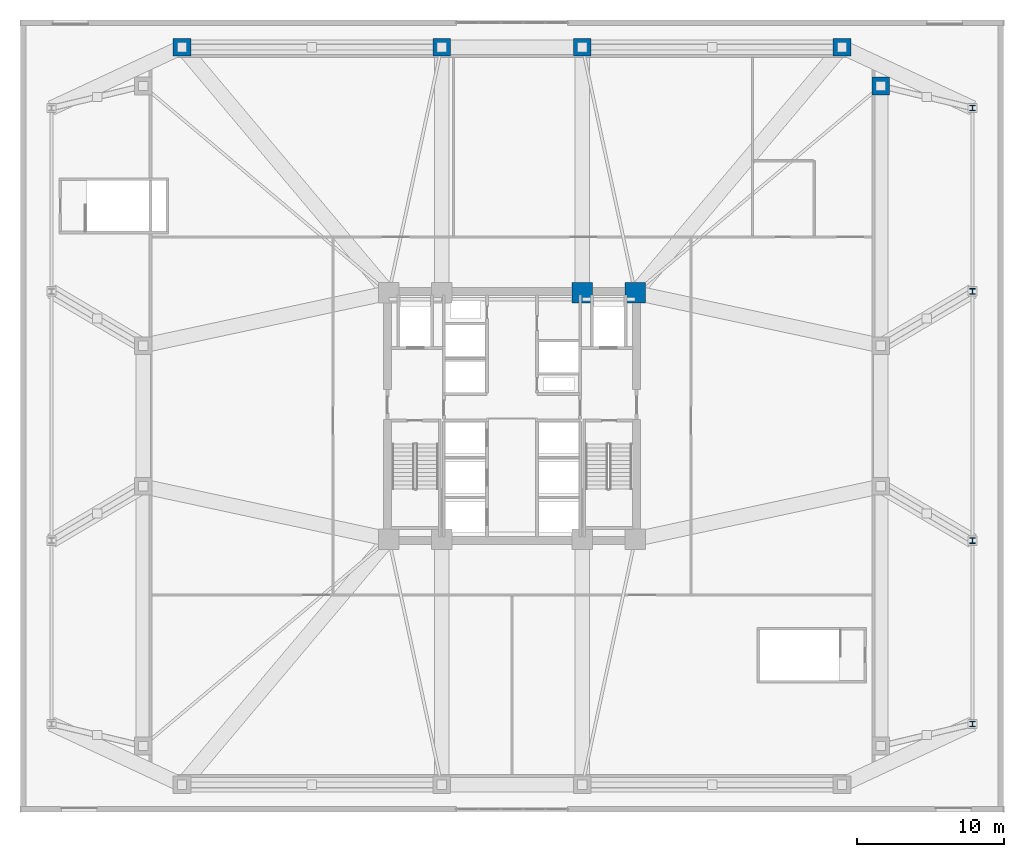
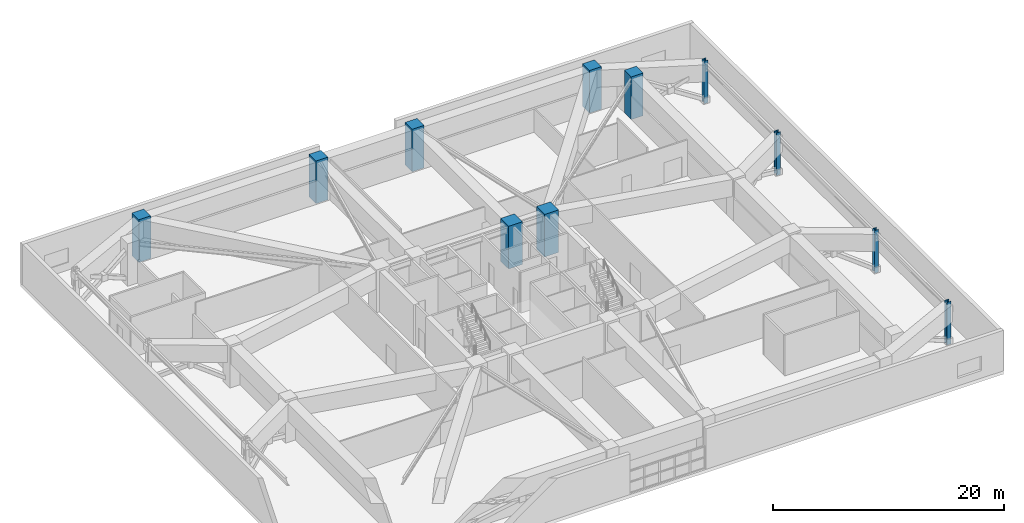
# One storey, part 2 of 19: 11 columns.
"""IFC4 building model written with IfcOpenShell, lengths in metres."""

import ifcopenshell
import ifcopenshell.guid

model = None  # the IFC model being written
_history = None  # IfcOwnerHistory: only IFC2X3 demands one
_inside = {}  # id of a spatial element -> (the spatial element, [elements in it])
_under = {}  # id of a project, library or spatial element -> (it, [spatial elements below it])
_declared = {}  # id of a project -> (the project, [libraries it declares])
_typed = {}  # id of a type object -> (the type object, [elements of that type])
_made_of = {}  # id of a material, layer set ... -> (it, [elements and type objects made of it])


def new_model(schema):
    """Start an empty IFC model of exactly this schema.

    Asked for "IFC4X3", IfcOpenShell would pick the latest addendum, in which some entities
    have other attributes; the version numbers below select the first issue.
    IFC2X3 requires an IfcOwnerHistory on every rooted entity: one is made here for all.
    """
    global model, _history
    if schema == "IFC4X3":
        model = ifcopenshell.file(schema_version=(4, 3, 0, 0))
    else:
        model = ifcopenshell.file(schema=schema)
    _inside.clear()
    _under.clear()
    _declared.clear()
    _typed.clear()
    _made_of.clear()
    _history = None
    if model.schema == "IFC2X3":
        org = make("IfcOrganization", Name="unknown")
        user = make(
            "IfcPersonAndOrganization",
            ThePerson=make("IfcPerson", FamilyName="unknown"),
            TheOrganization=org,
        )
        app = make(
            "IfcApplication",
            ApplicationDeveloper=org,
            Version="unknown",
            ApplicationFullName="unknown",
            ApplicationIdentifier="unknown",
        )
        _history = make(
            "IfcOwnerHistory",
            OwningUser=user,
            OwningApplication=app,
            ChangeAction="ADDED",
            CreationDate=0,
        )
    return model


def make(cls, **values):
    """One entity of the class cls with the attributes given. An attribute that is None is left unset."""
    return model.create_entity(
        cls, **{name: value for name, value in values.items() if value is not None}
    )


def rooted(cls, **values):
    """An entity with a GlobalId (a new one), such as an element, a storey or a relation."""
    return make(cls, GlobalId=ifcopenshell.guid.new(), OwnerHistory=_history, **values)


def si_unit(unit_type, name, prefix=None):
    """IfcSIUnit, for example si_unit("LENGTHUNIT", "METRE", prefix="MILLI")."""
    return make("IfcSIUnit", UnitType=unit_type, Prefix=prefix, Name=name)


def assignment(units):
    """IfcUnitAssignment: the units of a project."""
    return None if units is None else make("IfcUnitAssignment", Units=units)


def point(xyz):
    """IfcCartesianPoint."""
    return None if xyz is None else make("IfcCartesianPoint", Coordinates=xyz)


def direction(xyz):
    """IfcDirection."""
    return None if xyz is None else make("IfcDirection", DirectionRatios=xyz)


def frame(location, z_axis=None, x_axis=None):
    """IfcAxis2Placement3D, a coordinate frame: its origin and axes. An axis left out is left unset."""
    return make(
        "IfcAxis2Placement3D",
        Location=point(location),
        Axis=direction(z_axis),
        RefDirection=direction(x_axis),
    )


def frame_2d(location, x_axis=None):
    """IfcAxis2Placement2D, a coordinate frame in the plane: its origin and x axis."""
    return make(
        "IfcAxis2Placement2D", Location=point(location), RefDirection=direction(x_axis)
    )


def origin():
    """The frame at (0, 0, 0) with its axes left unset."""
    return frame((0.0, 0.0, 0.0))


def origin_2d():
    """The frame at (0, 0) in the plane with its x axis left unset."""
    return frame_2d((0.0, 0.0))


def place(relative_to, where):
    """IfcLocalPlacement: puts the frame where relative to a parent placement (None: the world)."""
    return make(
        "IfcLocalPlacement", PlacementRelTo=relative_to, RelativePlacement=where
    )


def context(
    kind, dimensions, precision=None, world=None, true_north=None, identifier=None
):
    """IfcGeometricRepresentationContext, for example the 3D "Model" context."""
    return make(
        "IfcGeometricRepresentationContext",
        ContextIdentifier=identifier,
        ContextType=kind,
        CoordinateSpaceDimension=dimensions,
        Precision=precision,
        WorldCoordinateSystem=world,
        TrueNorth=true_north,
    )


def subcontext(parent, identifier, kind, view, scale=None):
    """IfcGeometricRepresentationSubContext, for example "Body" below "Model"."""
    return make(
        "IfcGeometricRepresentationSubContext",
        ContextIdentifier=identifier,
        ContextType=kind,
        ParentContext=parent,
        TargetScale=scale,
        TargetView=view,
    )


def project(units=None, contexts=None):
    """IfcProject with its units and contexts."""
    return rooted(
        "IfcProject",
        Name="project",
        RepresentationContexts=contexts,
        UnitsInContext=assignment(units),
    )


def spatial(cls, under=None, at=None, **own):
    """A site, building, storey or space (cls), placed at a placement, below another one or the project."""
    s = rooted(cls, ObjectPlacement=at, **own)
    if under is not None:
        _under.setdefault(under.id(), (under, []))[1].append(s)
    return s


def profile(cls, at=None, kind="AREA", **sizes):
    """A parametric profile (cls). Its sizes go by their IFC names, for example OverallWidth=200.0."""
    return make(cls, ProfileType=kind, Position=at, **sizes)


def rectangle(**sizes):
    """IfcRectangleProfileDef."""
    return profile("IfcRectangleProfileDef", **sizes)


def i_section(**sizes):
    """IfcIShapeProfileDef."""
    return profile("IfcIShapeProfileDef", **sizes)


def extrude(swept, where, along, depth):
    """IfcExtrudedAreaSolid: the profile swept, set in the frame where, extruded along a direction by depth."""
    return make(
        "IfcExtrudedAreaSolid",
        SweptArea=swept,
        Position=where,
        ExtrudedDirection=direction(along),
        Depth=depth,
    )


def shape(context_of_items, identifier, shape_type, items):
    """IfcShapeRepresentation: the items that make up one representation, for example the "Body"."""
    return make(
        "IfcShapeRepresentation",
        ContextOfItems=context_of_items,
        RepresentationIdentifier=identifier,
        RepresentationType=shape_type,
        Items=items,
    )


def material(Name=None, Category=None):
    """IfcMaterial."""
    return make("IfcMaterial", Name=Name, Category=Category)


def material_profile(
    of_material, cross_section, Name=None, Category=None, Priority=None
):
    """IfcMaterialProfile: a cross section and its material."""
    return make(
        "IfcMaterialProfile",
        Name=Name,
        Material=of_material,
        Profile=cross_section,
        Priority=Priority,
        Category=Category,
    )


def profile_set(profiles, Name=None, composite=None):
    """IfcMaterialProfileSet."""
    return make(
        "IfcMaterialProfileSet",
        Name=Name,
        MaterialProfiles=profiles,
        CompositeProfile=composite,
    )


def made_of(thing, what):
    """Note that an element or type object is made of a material, layer set ...; save() writes the relation."""
    if what is not None:
        _made_of.setdefault(what.id(), (what, []))[1].append(thing)
    return thing


def type_object(cls, material=None, **own):
    """A type object (cls), such as IfcWallType, which elements share."""
    return made_of(rooted(cls, **own), material)


def element(
    cls,
    number,
    at=None,
    inside=None,
    cuts=None,
    type_object=None,
    material=None,
    context=None,
    identifier="Body",
    shape_type=None,
    held_by="IfcProductDefinitionShape",
    body=None,
    shapes=None,
    **own,
):
    """One element of the class cls, such as IfcWall. Its Tag is "e" and its number.

    at: its placement. inside: the storey or other place that contains it. cuts: it is an
    opening in that element (IfcRelVoidsElement). A single representation is given by context,
    identifier, shape_type and body (its items); several are given by shapes. held_by: the class
    of the entity that holds the representations. save() writes the other relations.
    """
    e = rooted(cls, Tag="e%d" % number, ObjectPlacement=at, **own)
    if body is not None:
        shapes = [shape(context, identifier, shape_type, body)]
    if shapes is not None:
        e.Representation = make(held_by, Representations=shapes)
    if inside is not None:
        _inside.setdefault(inside.id(), (inside, []))[1].append(e)
    if cuts is not None:
        rooted(
            "IfcRelVoidsElement", RelatingBuildingElement=cuts, RelatedOpeningElement=e
        )
    if type_object is not None:
        _typed.setdefault(type_object.id(), (type_object, []))[1].append(e)
    return made_of(e, material)


def aggregate(whole, parts):
    """IfcRelAggregates: a whole, such as a stair, and the parts it consists of."""
    return rooted("IfcRelAggregates", RelatingObject=whole, RelatedObjects=parts)


def save(model, path):
    """Write the relations noted so far, then the file.

    IfcRelAggregates (storeys below a building ...), IfcRelContainedInSpatialStructure (elements
    in a storey), IfcRelDefinesByType, IfcRelAssociatesMaterial and IfcRelDeclares: one each for
    every whole, place, type object, material and project.
    """
    for whole, parts in _under.values():
        aggregate(whole, parts)
    for where, things in _inside.values():
        rooted(
            "IfcRelContainedInSpatialStructure",
            RelatedElements=things,
            RelatingStructure=where,
        )
    for kind, things in _typed.values():
        rooted("IfcRelDefinesByType", RelatedObjects=things, RelatingType=kind)
    for what, things in _made_of.values():
        rooted("IfcRelAssociatesMaterial", RelatedObjects=things, RelatingMaterial=what)
    for by, libraries in _declared.values():
        rooted("IfcRelDeclares", RelatingContext=by, RelatedDefinitions=libraries)
    model.write(path)


model = new_model("IFC4")

# Units and contexts
model_context = context("Model", 3, precision=1e-05, world=origin(), true_north=direction((0.0, 1.0)))
body_context = subcontext(model_context, "Body", "Model", "MODEL_VIEW")
ifc_project = project(units=[si_unit("LENGTHUNIT", "METRE"), si_unit("AREAUNIT", "SQUARE_METRE"), si_unit("VOLUMEUNIT", "CUBIC_METRE"), si_unit("PLANEANGLEUNIT", "RADIAN"), si_unit("MASSUNIT", "GRAM", prefix="KILO")], contexts=[model_context])

# Site, building, storey
site_placement = place(None, origin())
site = spatial("IfcSite", under=ifc_project, at=site_placement, CompositionType="ELEMENT")
building_placement = place(site_placement, origin())
building = spatial("IfcBuilding", under=site, at=building_placement, Name="Cairnveth Concourse Tower", CompositionType="ELEMENT")
storey_placement = place(building_placement, frame((0.0, 0.0, 19.0)))
storey = spatial("IfcBuildingStorey", under=building, at=storey_placement, Name="L04", CompositionType="ELEMENT", Elevation=19.0)

# Columns
ifc_material_1 = material(Name="Concrete N80 (80 MPa)", Category="concrete")
ifc_material_profile_1 = material_profile(ifc_material_1, rectangle(XDim=1.39990234375, YDim=1.39990234375, at=origin_2d()), Name="RC-COL-1400x1400")
ifc_profile_set_1 = profile_set([ifc_material_profile_1], Name="Concrete N80 (80 MPa)")
column_type_1 = type_object("IfcColumnType", Name="CORE COLUMN 1400X1400", PredefinedType="COLUMN", material=ifc_profile_set_1)
for number, where, z_axis, x_axis, name in (
    (1, (56.800048828125, 47.39990234375, 0.0), (0.0, 0.0, 1.0), (1.0, 0.0, 0.0), "Column CC7 L04"),
    (2, (60.39990234375, 47.39990234375, 0.0), (0.0, 0.0, 1.0), (1.0, 0.0, 0.0), "Column CC8 L04"),
):
    element("IfcColumn", number, at=place(storey_placement, frame(where, z_axis=z_axis, x_axis=x_axis)), inside=storey, type_object=column_type_1, Name=name, PredefinedType="COLUMN", context=body_context, shape_type="SweptSolid", body=[
        extrude(rectangle(XDim=1.39990234375, YDim=1.39990234375, at=origin_2d()), origin(), (0.0, 0.0, 1.0), 4.5),
    ])
ifc_material_profile_2 = material_profile(ifc_material_1, rectangle(XDim=1.199951171875, YDim=1.199951171875, at=origin_2d()), Name="RC-COL-1200x1200")
ifc_profile_set_2 = profile_set([ifc_material_profile_2], Name="Concrete N80 (80 MPa)")
column_type_2 = type_object("IfcColumnType", Name="PERIMETER PIER COLUMN 1200X1200", PredefinedType="COLUMN", material=ifc_profile_set_2)
for number, where, z_axis, x_axis, name in (
    (3, (77.14990234375, 61.5, 0.0), (0.0, 0.0, 1.0), (1.0, 0.0, 0.0), "Column Z1-E4 L04"),
    (4, (74.5, 64.14990234375, 0.0), (0.0, 0.0, 1.0), (1.0, 0.0, 0.0), "Column Z1-N1 L04"),
    (5, (56.800048828125, 64.14990234375, 0.0), (0.0, 0.0, 1.0), (1.0, 0.0, 0.0), "Column Z1-N2 L04"),
    (6, (47.199951171875, 64.14990234375, 0.0), (0.0, 0.0, 1.0), (1.0, 0.0, 0.0), "Column Z1-N3 L04"),
    (7, (29.5, 64.14990234375, 0.0), (0.0, 0.0, 1.0), (1.0, 0.0, 0.0), "Column Z1-N4 L04"),
):
    element("IfcColumn", number, at=place(storey_placement, frame(where, z_axis=z_axis, x_axis=x_axis)), inside=storey, type_object=column_type_2, Name=name, PredefinedType="COLUMN", context=body_context, shape_type="SweptSolid", body=[
        extrude(rectangle(XDim=1.199951171875, YDim=1.199951171875, at=origin_2d()), origin(), (0.0, 0.0, 1.0), 4.5),
    ])
ifc_material_2 = material(Name="Steel Grade 350", Category="steel")
ifc_material_profile_3 = material_profile(ifc_material_2, i_section(OverallWidth=0.39990234375, OverallDepth=0.39990234375, WebThickness=0.028076171875, FlangeThickness=0.044921875, at=origin_2d()), Name="400WC328")
ifc_profile_set_3 = profile_set([ifc_material_profile_3], Name="Steel Grade 350")
column_type_3 = type_object("IfcColumnType", Name="WELDED STEEL COLUMN 400WC328", PredefinedType="COLUMN", material=ifc_profile_set_3)
for number, where, z_axis, x_axis, name in (
    (8, (83.39990234375, 18.0, 0.0), (0.0, 0.0, 1.0), (1.0, 0.0, 0.0), "Column PC-E1 L04"),
    (9, (83.39990234375, 30.5, 0.0), (0.0, 0.0, 1.0), (1.0, 0.0, 0.0), "Column PC-E2 L04"),
    (10, (83.39990234375, 47.5, 0.0), (0.0, 0.0, 1.0), (1.0, 0.0, 0.0), "Column PC-E3 L04"),
    (11, (83.39990234375, 60.0, 0.0), (0.0, 0.0, 1.0), (1.0, 0.0, 0.0), "Column PC-E4 L04"),
):
    element("IfcColumn", number, at=place(storey_placement, frame(where, z_axis=z_axis, x_axis=x_axis)), inside=storey, type_object=column_type_3, Name=name, PredefinedType="COLUMN", context=body_context, shape_type="SweptSolid", body=[
        extrude(i_section(OverallWidth=0.39990234375, OverallDepth=0.39990234375, WebThickness=0.028076171875, FlangeThickness=0.044921875, at=origin_2d()), origin(), (0.0, 0.0, 1.0), 4.5),
    ])

save(model, "model.ifc")
